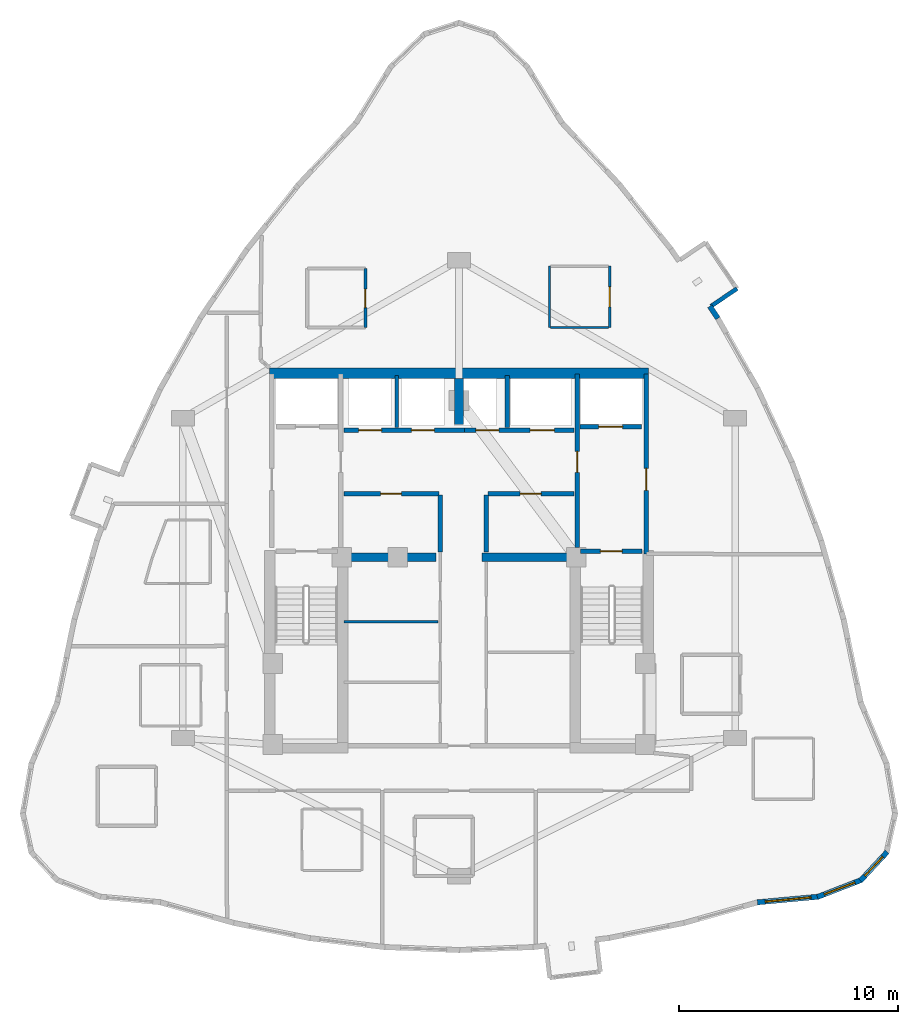
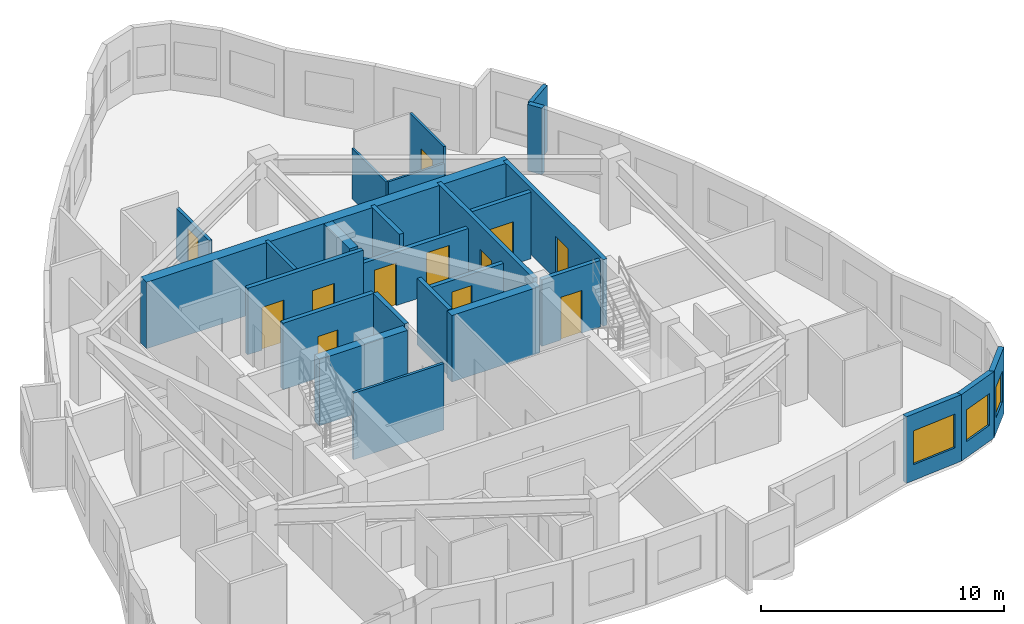
# One storey, part 6 of 9: 26 walls, 12 doors, 3 windows, 15 openings.
"""IFC4 building model written with IfcOpenShell, lengths in metres."""

from ifc_helpers import new_model, si_unit, direction, frame, frame_2d, origin, place, context, subcontext, project, spatial, rectangle, extrude, material, layer, layer_set, type_object, element, fill, save


model = new_model("IFC4")

# Units and contexts
model_context = context("Model", 3, precision=1e-05, world=origin(), true_north=direction((0.0, 1.0)))
body_context = subcontext(model_context, "Body", "Model", "MODEL_VIEW")
ifc_project = project(units=[si_unit("LENGTHUNIT", "METRE"), si_unit("AREAUNIT", "SQUARE_METRE"), si_unit("VOLUMEUNIT", "CUBIC_METRE"), si_unit("PLANEANGLEUNIT", "RADIAN"), si_unit("MASSUNIT", "GRAM", prefix="KILO")], contexts=[model_context])

# Site, building, storey
site_placement = place(None, origin())
site = spatial("IfcSite", under=ifc_project, at=site_placement, CompositionType="ELEMENT")
building_placement = place(site_placement, origin())
building = spatial("IfcBuilding", under=site, at=building_placement, Name="Miruveldt Soraemaru", CompositionType="ELEMENT")
storey_placement = place(building_placement, frame((0.0, 0.0, 244.800048828125)))
storey = spatial("IfcBuildingStorey", under=building, at=storey_placement, Name="L67", CompositionType="ELEMENT", Elevation=244.800048828125)

# Walls
ifc_material_1 = material(Name="White powder-coated aluminium EN AW-6060 T6", Category="aluminium")
ifc_layer_1 = layer(ifc_material_1, 0.18994140625, Name="White powder-coated aluminium EN AW-6060 T6", Category="aluminium")
ifc_layer_set_1 = layer_set([ifc_layer_1], Name="White powder-coated aluminium EN AW-6060 T6")
wall_type_1 = type_object("IfcWallType", Name="WALL-BAY-ALU190", PredefinedType="SOLIDWALL", material=ifc_layer_set_1)
wall_1_placement = place(storey_placement, frame((55.5068359375, 55.509521484375, 0.0), z_axis=(0.0, 0.0, 1.0), x_axis=(0.827916124573, 0.56085193293, 0.0)))
element("IfcWall", 1, at=wall_1_placement, inside=storey, type_object=wall_type_1, Name="L67 Bay Window Side Cheek 3L", PredefinedType="SOLIDWALL", context=body_context, shape_type="SweptSolid", body=[
    extrude(rectangle(XDim=1.42529296875, YDim=0.18994140625, at=frame_2d((0.712646484375, 0.0))), origin(), (0.0, 0.0, 1.0), 3.344970703125),
])
ifc_material_2 = material(Name="Concrete C70/85 (70 MPa)", Category="concrete")
ifc_layer_2 = layer(ifc_material_2, 0.5, Name="Concrete C70/85 (70 MPa)", Category="concrete")
ifc_layer_set_2 = layer_set([ifc_layer_2], Name="Concrete C70/85 (70 MPa)")
wall_type_2 = type_object("IfcWallType", Name="WALL-BW-500", PredefinedType="SHEAR", material=ifc_layer_set_2)
wall_2_placement = place(storey_placement, frame((44.0, 50.10009765625, 0.0), z_axis=(0.0, 0.0, 1.0), x_axis=(0.0, 1.0, 0.0)))
element("IfcWall", 2, at=wall_2_placement, inside=storey, type_object=wall_type_2, Name="L67 Core Buttress Shear Wall BN", PredefinedType="SHEAR", context=body_context, shape_type="SweptSolid", body=[
    extrude(rectangle(XDim=2.099853515625, YDim=0.39990234375, at=frame_2d((1.0498046875, 0.0))), origin(), (0.0, 0.0, 1.0), 3.344970703125),
])
for number, where, z_axis, x_axis, name in (
    (3, (38.75, 44.050048828125, 0.0), (0.0, 0.0, 1.0), (1.0, 0.0, 0.0), "L67 Core Buttress Shear Wall BW"),
    (4, (45.050048828125, 44.050048828125, 0.0), (0.0, 0.0, 1.0), (1.0, 0.0, 0.0), "L67 Core Buttress Shear Wall BE"),
):
    element("IfcWall", number, at=place(storey_placement, frame(where, z_axis=z_axis, x_axis=x_axis)), inside=storey, type_object=wall_type_2, Name=name, PredefinedType="SHEAR", context=body_context, shape_type="SweptSolid", body=[
        extrude(rectangle(XDim=4.199951171875, YDim=0.39990234375, at=frame_2d((2.10009765625, 0.0))), origin(), (0.0, 0.0, 1.0), 3.344970703125),
    ])
ifc_material_3 = material(Name="Concrete C60/75 (60 MPa)", Category="concrete")
ifc_layer_3 = layer(ifc_material_3, 0.47998046875, Name="Concrete C60/75 (60 MPa)", Category="concrete")
ifc_layer_set_3 = layer_set([ifc_layer_3], Name="Concrete C60/75 (60 MPa)")
wall_type_3 = type_object("IfcWallType", Name="WALL-CW-480", PredefinedType="SHEAR", material=ifc_layer_set_3)
wall_3_placement = place(storey_placement, frame((35.35009765625, 52.449951171875, 0.0), z_axis=(0.0, 0.0, 1.0), x_axis=(1.0, 0.0, 0.0)))
element("IfcWall", 5, at=wall_3_placement, inside=storey, type_object=wall_type_3, Name="L67 Central Core Shear Wall N", PredefinedType="SHEAR", context=body_context, shape_type="SweptSolid", body=[
    extrude(rectangle(XDim=17.2998046875, YDim=0.47998046875, at=frame_2d((8.64990234375, 0.0))), origin(), (0.0, 0.0, 1.0), 3.344970703125),
])

# Wall, opening, window
ifc_material_4 = material(Name="Precast concrete C45/55 (45 MPa)", Category="concrete")
ifc_layer_4 = layer(ifc_material_4, 0.239990234375, Name="Precast concrete C45/55 (45 MPa)", Category="concrete")
ifc_layer_set_4 = layer_set([ifc_layer_4], Name="Precast concrete C45/55 (45 MPa)")
wall_type_4 = type_object("IfcWallType", Name="WALL-EXT-PC240", PredefinedType="SOLIDWALL", material=ifc_layer_set_4)
wall_4_placement = place(storey_placement, frame((57.616455078125, 28.30078125, 0.0), z_axis=(0.0, 0.0, 1.0), x_axis=(0.995761555679, 0.09197241017, 0.0)))
wall_4 = element("IfcWall", 6, at=wall_4_placement, inside=storey, type_object=wall_type_4, Name="L67 Precast Concrete Facade Wall 29", PredefinedType="SOLIDWALL", context=body_context, shape_type="SweptSolid", body=[
    extrude(rectangle(XDim=2.819091796875, YDim=0.239990234375, at=frame_2d((1.40966796875, 0.0))), origin(), (0.0, 0.0, 1.0), 3.344970703125),
])
opening_1_placement = place(wall_4_placement, frame((0.35888671875, 0.0, 0.800048828125)))
opening_1 = element("IfcOpeningElement", 7, at=opening_1_placement, cuts=wall_4, Name="Opening WN-1", PredefinedType="OPENING", context=body_context, shape_type="SweptSolid", body=[
    extrude(rectangle(XDim=2.10009765625, YDim=1.699951171875, at=frame_2d((1.050048828125, 0.85009765625))), frame((0.0, 0.1298828125, 0.0), z_axis=(0.0, -1.0, 0.0), x_axis=(1.0, 0.0, 0.0)), (0.0, 0.0, 1.0), 0.260009765625),
])
ifc_material_5 = material(Name="Triple low-e insulated glazing", Category="glass")
window_type_1 = type_object("IfcWindowType", Name="WIN-PUNCH-2100x1700", PartitioningType="SINGLE_PANEL", PredefinedType="WINDOW", material=ifc_material_5)
window_1_placement = place(opening_1_placement, origin())
window_1 = element("IfcWindow", 8, at=window_1_placement, inside=storey, type_object=window_type_1, Name="L67 Punched Triple-Glazed Window 29.1", OverallHeight=1.699951171875, OverallWidth=2.10009765625, PartitioningType="SINGLE_PANEL", PredefinedType="WINDOW", context=body_context, shape_type="SweptSolid", body=[
    extrude(rectangle(XDim=2.10009765625, YDim=1.699951171875, at=frame_2d((1.050048828125, 0.85009765625))), frame((0.0, 0.030029296875, 0.0), z_axis=(0.0, -1.0, 0.0), x_axis=(1.0, 0.0, 0.0)), (0.0, 0.0, 1.0), 0.06005859375),
])
fill(opening_1, window_1)

wall_5_placement = place(storey_placement, frame((60.35595703125, 28.544189453125, 0.0), z_axis=(0.0, 0.0, 1.0), x_axis=(0.932287671793, 0.361717703495, 0.0)))
wall_5 = element("IfcWall", 9, at=wall_5_placement, inside=storey, type_object=wall_type_4, Name="L67 Precast Concrete Facade Wall 30", PredefinedType="SOLIDWALL", context=body_context, shape_type="SweptSolid", body=[
    extrude(rectangle(XDim=2.167236328125, YDim=0.239990234375, at=frame_2d((1.08349609375, 0.0))), origin(), (0.0, 0.0, 1.0), 3.344970703125),
])
opening_2_placement = place(wall_5_placement, frame((0.333984375, 0.0, 0.800048828125)))
opening_2 = element("IfcOpeningElement", 10, at=opening_2_placement, cuts=wall_5, Name="Opening WN-3", PredefinedType="OPENING", context=body_context, shape_type="SweptSolid", body=[
    extrude(rectangle(XDim=1.5, YDim=1.60009765625, at=frame_2d((0.75, 0.800048828125))), frame((0.0, 0.1298828125, 0.0), z_axis=(0.0, -1.0, 0.0), x_axis=(1.0, 0.0, 0.0)), (0.0, 0.0, 1.0), 0.260009765625),
])
window_type_2 = type_object("IfcWindowType", Name="WIN-PUNCH-1500x1600", PartitioningType="SINGLE_PANEL", PredefinedType="WINDOW", material=ifc_material_5)
window_2_placement = place(opening_2_placement, origin())
window_2 = element("IfcWindow", 11, at=window_2_placement, inside=storey, type_object=window_type_2, Name="L67 Punched Triple-Glazed Window 30.1", OverallHeight=1.60009765625, OverallWidth=1.5, PartitioningType="SINGLE_PANEL", PredefinedType="WINDOW", context=body_context, shape_type="SweptSolid", body=[
    extrude(rectangle(XDim=1.5, YDim=1.60009765625, at=frame_2d((0.75, 0.800048828125))), frame((0.0, 0.030029296875, 0.0), z_axis=(0.0, -1.0, 0.0), x_axis=(1.0, 0.0, 0.0)), (0.0, 0.0, 1.0), 0.06005859375),
])
fill(opening_2, window_2)

wall_6_placement = place(storey_placement, frame((62.320068359375, 29.289794921875, 0.0), z_axis=(0.0, 0.0, 1.0), x_axis=(0.680153639161, 0.733069592287, 0.0)))
wall_6 = element("IfcWall", 12, at=wall_6_placement, inside=storey, type_object=wall_type_4, Name="L67 Precast Concrete Facade Wall 31", PredefinedType="SOLIDWALL", context=body_context, shape_type="SweptSolid", body=[
    extrude(rectangle(XDim=1.794677734375, YDim=0.239990234375, at=frame_2d((0.8974609375, 0.0))), origin(), (0.0, 0.0, 1.0), 3.344970703125),
])
opening_3_placement = place(wall_6_placement, frame((0.297119140625, 0.0, 0.780029296875)))
opening_3 = element("IfcOpeningElement", 13, at=opening_3_placement, cuts=wall_6, Name="Opening WN-4", PredefinedType="OPENING", context=body_context, shape_type="SweptSolid", body=[
    extrude(rectangle(XDim=1.199951171875, YDim=1.550048828125, at=frame_2d((0.60009765625, 0.77490234375))), frame((0.0, 0.1298828125, 0.0), z_axis=(0.0, -1.0, 0.0), x_axis=(1.0, 0.0, 0.0)), (0.0, 0.0, 1.0), 0.260009765625),
])
window_type_3 = type_object("IfcWindowType", Name="WIN-PUNCH-1200x1550", PartitioningType="SINGLE_PANEL", PredefinedType="WINDOW", material=ifc_material_5)
window_3_placement = place(opening_3_placement, origin())
window_3 = element("IfcWindow", 14, at=window_3_placement, inside=storey, type_object=window_type_3, Name="L67 Punched Triple-Glazed Window 31.1", OverallHeight=1.550048828125, OverallWidth=1.199951171875, PartitioningType="SINGLE_PANEL", PredefinedType="WINDOW", context=body_context, shape_type="SweptSolid", body=[
    extrude(rectangle(XDim=1.199951171875, YDim=1.550048828125, at=frame_2d((0.60009765625, 0.77490234375))), frame((0.0, 0.030029296875, 0.0), z_axis=(0.0, -1.0, 0.0), x_axis=(1.0, 0.0, 0.0)), (0.0, 0.0, 1.0), 0.06005859375),
])
fill(opening_3, window_3)

# Wall
wall_7_placement = place(storey_placement, frame((55.8173828125, 54.953125, 0.0), z_axis=(0.0, 0.0, 1.0), x_axis=(-0.560701993018, 0.828017677967, 0.0)))
element("IfcWall", 15, at=wall_7_placement, inside=storey, type_object=wall_type_4, Name="L67 Precast Pier Wall 40A", PredefinedType="SOLIDWALL", context=body_context, shape_type="SweptSolid", body=[
    extrude(rectangle(XDim=0.664794921875, YDim=0.239990234375, at=frame_2d((0.33251953125, 0.0))), origin(), (0.0, 0.0, 1.0), 3.344970703125),
])

# Wall, opening, door
ifc_material_6 = material(Name="Gypsum plasterboard lining", Category="gypsum")
ifc_layer_5 = layer(ifc_material_6, 0.10009765625, Name="Gypsum plasterboard lining", Category="gypsum")
ifc_layer_set_5 = layer_set([ifc_layer_5], Name="Gypsum plasterboard lining")
wall_type_5 = type_object("IfcWallType", Name="WALL-INT-P100", PredefinedType="PARTITIONING", material=ifc_layer_set_5)
wall_8_placement = place(storey_placement, frame((50.8798828125, 54.530029296875, 0.0), z_axis=(0.0, 0.0, 1.0), x_axis=(0.0, 1.0, 0.0)))
wall_8 = element("IfcWall", 16, at=wall_8_placement, inside=storey, type_object=wall_type_5, Name="L67 Partition Wall 17", PredefinedType="PARTITIONING", context=body_context, shape_type="SweptSolid", body=[
    extrude(rectangle(XDim=2.800048828125, YDim=0.10009765625, at=frame_2d((1.39990234375, 0.0))), origin(), (0.0, 0.0, 1.0), 3.344970703125),
])
opening_4_placement = place(wall_8_placement, frame((0.93994140625, 0.0, 0.0)))
opening_4 = element("IfcOpeningElement", 17, at=opening_4_placement, cuts=wall_8, Name="Opening D3A", PredefinedType="OPENING", context=body_context, shape_type="SweptSolid", body=[
    extrude(rectangle(XDim=0.919921875, YDim=2.10009765625, at=frame_2d((0.4599609375, 1.050048828125))), frame((0.0, 0.06005859375, 0.0), z_axis=(0.0, -1.0, 0.0), x_axis=(1.0, 0.0, 0.0)), (0.0, 0.0, 1.0), 0.1201171875),
])
ifc_material_7 = material(Name="Anodised aluminium EN AW-6063 T6", Category="aluminium")
door_type_1 = type_object("IfcDoorType", Name="DOOR-INT-920", OperationType="NOTDEFINED", PredefinedType="DOOR", material=ifc_material_7)
door_1_placement = place(opening_4_placement, origin())
door_1 = element("IfcDoor", 18, at=door_1_placement, inside=storey, type_object=door_type_1, Name="L67 Unit CL01 KIT Door", OperationType="SINGLE_SWING_RIGHT", OverallHeight=2.10009765625, OverallWidth=0.919921875, PredefinedType="DOOR", context=body_context, shape_type="SweptSolid", body=[
    extrude(rectangle(XDim=0.919921875, YDim=2.10009765625, at=frame_2d((0.4599609375, 1.050048828125))), frame((0.0, 0.02490234375, 0.0), z_axis=(0.0, -1.0, 0.0), x_axis=(1.0, 0.0, 0.0)), (0.0, 0.0, 1.0), 0.050048828125),
])
fill(opening_4, door_1)

# Walls
wall_9_placement = place(storey_placement, frame((48.1298828125, 57.330078125, 0.0), z_axis=(0.0, 0.0, 1.0), x_axis=(0.0, -1.0, 0.0)))
element("IfcWall", 19, at=wall_9_placement, inside=storey, type_object=wall_type_5, Name="L67 Partition Wall 19", PredefinedType="PARTITIONING", context=body_context, shape_type="SweptSolid", body=[
    extrude(rectangle(XDim=2.800048828125, YDim=0.10009765625, at=frame_2d((1.39990234375, 0.0))), origin(), (0.0, 0.0, 1.0), 2.532958984375),
])
wall_10_placement = place(storey_placement, frame((48.179931640625, 54.530029296875, 0.0), z_axis=(0.0, 0.0, 1.0), x_axis=(1.0, 0.0, 0.0)))
element("IfcWall", 20, at=wall_10_placement, inside=storey, type_object=wall_type_5, Name="L67 Partition Wall 20", PredefinedType="PARTITIONING", context=body_context, shape_type="SweptSolid", body=[
    extrude(rectangle(XDim=2.650146484375, YDim=0.10009765625, at=frame_2d((1.3251953125, 0.0))), origin(), (0.0, 0.0, 1.0), 2.532958984375),
])
ifc_layer_6 = layer(ifc_material_6, 0.1201171875, Name="Gypsum plasterboard lining", Category="gypsum")
ifc_layer_set_6 = layer_set([ifc_layer_6], Name="Gypsum plasterboard lining")
wall_type_6 = type_object("IfcWallType", Name="WALL-INT-P120", PredefinedType="PARTITIONING", material=ifc_layer_set_6)
wall_11_placement = place(storey_placement, frame((38.75, 41.10009765625, 0.0), z_axis=(0.0, 0.0, 1.0), x_axis=(1.0, 0.0, 0.0)))
element("IfcWall", 21, at=wall_11_placement, inside=storey, type_object=wall_type_6, Name="L67 Core Compartment Wall RL-W3B", PredefinedType="PARTITIONING", context=body_context, shape_type="SweptSolid", body=[
    extrude(rectangle(XDim=4.300048828125, YDim=0.1201171875, at=frame_2d((2.14990234375, 0.0))), origin(), (0.0, 0.0, 1.0), 3.344970703125),
])

# Wall, opening, door
ifc_layer_7 = layer(ifc_material_6, 0.14990234375, Name="Gypsum plasterboard lining", Category="gypsum")
ifc_layer_set_7 = layer_set([ifc_layer_7], Name="Gypsum plasterboard lining")
wall_type_7 = type_object("IfcWallType", Name="WALL-INT-PLUMB", PredefinedType="PLUMBINGWALL", material=ifc_layer_set_7)
wall_12_placement = place(storey_placement, frame((39.72998046875, 54.530029296875, 0.0), z_axis=(0.0, 0.0, 1.0), x_axis=(0.0, 1.0, 0.0)))
wall_12 = element("IfcWall", 22, at=wall_12_placement, inside=storey, type_object=wall_type_7, Name="L67 Partition Wall 13", PredefinedType="PLUMBINGWALL", context=body_context, shape_type="SweptSolid", body=[
    extrude(rectangle(XDim=2.699951171875, YDim=0.14990234375, at=frame_2d((1.35009765625, 0.0))), origin(), (0.0, 0.0, 1.0), 2.532958984375),
])
opening_5_placement = place(wall_12_placement, frame((0.909912109375, 0.0, 0.0)))
opening_5 = element("IfcOpeningElement", 23, at=opening_5_placement, cuts=wall_12, Name="Opening FD3", PredefinedType="OPENING", context=body_context, shape_type="SweptSolid", body=[
    extrude(rectangle(XDim=0.85009765625, YDim=2.10009765625, at=frame_2d((0.425048828125, 1.050048828125))), frame((0.0, 0.0849609375, 0.0), z_axis=(0.0, -1.0, 0.0), x_axis=(1.0, 0.0, 0.0)), (0.0, 0.0, 1.0), 0.169921875),
])
door_type_2 = type_object("IfcDoorType", Name="DOOR-FD3-850", OperationType="NOTDEFINED", PredefinedType="DOOR", material=ifc_material_7)
door_2_placement = place(opening_5_placement, origin())
door_2 = element("IfcDoor", 24, at=door_2_placement, inside=storey, type_object=door_type_2, Name="L67 Unit CL01 BTH Door", OperationType="SINGLE_SWING_LEFT", OverallHeight=2.10009765625, OverallWidth=0.85009765625, PredefinedType="DOOR", context=body_context, shape_type="SweptSolid", body=[
    extrude(rectangle(XDim=0.85009765625, YDim=2.10009765625, at=frame_2d((0.425048828125, 1.050048828125))), frame((0.0, 0.02490234375, 0.0), z_axis=(0.0, -1.0, 0.0), x_axis=(1.0, 0.0, 0.0)), (0.0, 0.0, 1.0), 0.050048828125),
])
fill(opening_5, door_2)

# Wall
ifc_material_8 = material(Name="Concrete C40/50 (40 MPa)", Category="concrete")
ifc_layer_8 = layer(ifc_material_8, 0.159912109375, Name="Concrete C40/50 (40 MPa)", Category="concrete")
ifc_layer_set_8 = layer_set([ifc_layer_8], Name="Concrete C40/50 (40 MPa)")
wall_type_8 = type_object("IfcWallType", Name="WALL-INT-RC160", PredefinedType="SOLIDWALL", material=ifc_layer_set_8)
wall_13_placement = place(storey_placement, frame((41.14990234375, 49.97998046875, 0.0), z_axis=(0.0, 0.0, 1.0), x_axis=(0.0, 1.0, 0.0)))
element("IfcWall", 25, at=wall_13_placement, inside=storey, type_object=wall_type_8, Name="L67 Core Compartment Wall PLH-DIV1", PredefinedType="SOLIDWALL", context=body_context, shape_type="SweptSolid", body=[
    extrude(rectangle(XDim=2.3701171875, YDim=0.159912109375, at=frame_2d((1.18505859375, 0.0))), origin(), (0.0, 0.0, 1.0), 3.344970703125),
])

# Wall, opening, door
ifc_layer_9 = layer(ifc_material_8, 0.199951171875, Name="Concrete C40/50 (40 MPa)", Category="concrete")
ifc_layer_set_9 = layer_set([ifc_layer_9], Name="Concrete C40/50 (40 MPa)")
wall_type_9 = type_object("IfcWallType", Name="WALL-INT-RC200", PredefinedType="SOLIDWALL", material=ifc_layer_set_9)
wall_14_placement = place(storey_placement, frame((52.550048828125, 44.205322265625, 0.0), z_axis=(0.0, 0.0, 1.0), x_axis=(0.0, 1.0, 0.0)))
wall_14 = element("IfcWall", 26, at=wall_14_placement, inside=storey, type_object=wall_type_9, Name="L67 Core Compartment Wall FFE-OUT", PredefinedType="SOLIDWALL", context=body_context, shape_type="SweptSolid", body=[
    extrude(rectangle(XDim=8.214599609375, YDim=0.199951171875, at=frame_2d((4.107421875, 0.0))), origin(), (0.0, 0.0, 1.0), 3.344970703125),
])
opening_6_placement = place(wall_14_placement, frame((2.89501953125, 0.0, 0.0)))
opening_6 = element("IfcOpeningElement", 27, at=opening_6_placement, cuts=wall_14, Name="Opening FD1", PredefinedType="OPENING", context=body_context, shape_type="SweptSolid", body=[
    extrude(rectangle(XDim=1.0, YDim=2.14990234375, at=frame_2d((0.5, 1.074951171875))), frame((0.0, 0.10986328125, 0.0), z_axis=(0.0, -1.0, 0.0), x_axis=(1.0, 0.0, 0.0)), (0.0, 0.0, 1.0), 0.219970703125),
])
door_type_3 = type_object("IfcDoorType", Name="DOOR-FD1-1000", OperationType="NOTDEFINED", PredefinedType="DOOR", material=ifc_material_7)
door_3_placement = place(opening_6_placement, frame((1.0, 0.0, 0.0), z_axis=(0.0, 0.0, 1.0), x_axis=(-1.0, 0.0, 0.0)))
door_3 = element("IfcDoor", 28, at=door_3_placement, inside=storey, type_object=door_type_3, Name="L67 East Firefighting Lobby Exit Door", OperationType="SINGLE_SWING_RIGHT", OverallHeight=2.14990234375, OverallWidth=1.0, PredefinedType="DOOR", context=body_context, shape_type="SweptSolid", body=[
    extrude(rectangle(XDim=1.0, YDim=2.14990234375, at=frame_2d((0.5, 1.074951171875))), frame((0.0, 0.02490234375, 0.0), z_axis=(0.0, -1.0, 0.0), x_axis=(1.0, 0.0, 0.0)), (0.0, 0.0, 1.0), 0.050048828125),
])
fill(opening_6, door_3)

wall_15_placement = place(storey_placement, frame((49.39990234375, 44.5, 0.0), z_axis=(0.0, 0.0, 1.0), x_axis=(0.0, 1.0, 0.0)))
wall_15 = element("IfcWall", 29, at=wall_15_placement, inside=storey, type_object=wall_type_9, Name="L67 Core Compartment Wall FFE-IN", PredefinedType="SOLIDWALL", context=body_context, shape_type="SweptSolid", body=[
    extrude(rectangle(XDim=7.919921875, YDim=0.199951171875, at=frame_2d((3.9599609375, 0.0))), origin(), (0.0, 0.0, 1.0), 3.344970703125),
])
opening_7_placement = place(wall_15_placement, frame((3.425048828125, 0.0, 0.0)))
opening_7 = element("IfcOpeningElement", 30, at=opening_7_placement, cuts=wall_15, Name="Opening FD2", PredefinedType="OPENING", context=body_context, shape_type="SweptSolid", body=[
    extrude(rectangle(XDim=0.949951171875, YDim=2.14990234375, at=frame_2d((0.47509765625, 1.074951171875))), frame((0.0, 0.10986328125, 0.0), z_axis=(0.0, -1.0, 0.0), x_axis=(1.0, 0.0, 0.0)), (0.0, 0.0, 1.0), 0.219970703125),
])
door_type_4 = type_object("IfcDoorType", Name="DOOR-FD2-950", OperationType="NOTDEFINED", PredefinedType="DOOR", material=ifc_material_7)
door_4_placement = place(opening_7_placement, origin())
door_4 = element("IfcDoor", 31, at=door_4_placement, inside=storey, type_object=door_type_4, Name="L67 Lift Lobby to East Fire Lobby Door", OperationType="SINGLE_SWING_LEFT", OverallHeight=2.14990234375, OverallWidth=0.949951171875, PredefinedType="DOOR", context=body_context, shape_type="SweptSolid", body=[
    extrude(rectangle(XDim=0.949951171875, YDim=2.14990234375, at=frame_2d((0.47509765625, 1.074951171875))), frame((0.0, 0.02490234375, 0.0), z_axis=(0.0, -1.0, 0.0), x_axis=(1.0, 0.0, 0.0)), (0.0, 0.0, 1.0), 0.050048828125),
])
fill(opening_7, door_4)

# Wall, openings, doors
wall_16_placement = place(storey_placement, frame((38.75, 49.85009765625, 0.0), z_axis=(0.0, 0.0, 1.0), x_axis=(1.0, 0.0, 0.0)))
wall_16 = element("IfcWall", 32, at=wall_16_placement, inside=storey, type_object=wall_type_9, Name="L67 Core Compartment Wall ROWA-SW", PredefinedType="SOLIDWALL", context=body_context, shape_type="SweptSolid", body=[
    extrude(rectangle(XDim=5.5, YDim=0.199951171875, at=frame_2d((2.75, 0.0))), origin(), (0.0, 0.0, 1.0), 3.344970703125),
])
opening_8_placement = place(wall_16_placement, frame((0.675048828125, 0.0, 0.0)))
opening_8 = element("IfcOpeningElement", 33, at=opening_8_placement, cuts=wall_16, Name="Opening LD1", PredefinedType="OPENING", context=body_context, shape_type="SweptSolid", body=[
    extrude(rectangle(XDim=1.050048828125, YDim=2.14990234375, at=frame_2d((0.52490234375, 1.074951171875))), frame((0.0, 0.10986328125, 0.0), z_axis=(0.0, -1.0, 0.0), x_axis=(1.0, 0.0, 0.0)), (0.0, 0.0, 1.0), 0.219970703125),
])
opening_9_placement = place(wall_16_placement, frame((3.074951171875, 0.0, 0.0)))
opening_9 = element("IfcOpeningElement", 34, at=opening_9_placement, cuts=wall_16, Name="Opening LD1", PredefinedType="OPENING", context=body_context, shape_type="SweptSolid", body=[
    extrude(rectangle(XDim=1.050048828125, YDim=2.14990234375, at=frame_2d((0.52490234375, 1.074951171875))), frame((0.0, 0.10986328125, 0.0), z_axis=(0.0, -1.0, 0.0), x_axis=(1.0, 0.0, 0.0)), (0.0, 0.0, 1.0), 0.219970703125),
])
door_type_5 = type_object("IfcDoorType", Name="DOOR-LD1-1050", OperationType="SLIDING_TO_LEFT", PredefinedType="DOOR", material=ifc_material_7)
door_5_placement = place(opening_8_placement, origin())
door_5 = element("IfcDoor", 35, at=door_5_placement, inside=storey, type_object=door_type_5, Name="L67 PL-H1 Landing Door", OperationType="SLIDING_TO_LEFT", OverallHeight=2.14990234375, OverallWidth=1.050048828125, PredefinedType="DOOR", context=body_context, shape_type="SweptSolid", body=[
    extrude(rectangle(XDim=1.050048828125, YDim=2.14990234375, at=frame_2d((0.52490234375, 1.074951171875))), frame((0.0, 0.02490234375, 0.0), z_axis=(0.0, -1.0, 0.0), x_axis=(1.0, 0.0, 0.0)), (0.0, 0.0, 1.0), 0.050048828125),
])
fill(opening_8, door_5)
door_6_placement = place(opening_9_placement, origin())
door_6 = element("IfcDoor", 36, at=door_6_placement, inside=storey, type_object=door_type_5, Name="L67 PL-H2 Landing Door", OperationType="SLIDING_TO_LEFT", OverallHeight=2.14990234375, OverallWidth=1.050048828125, PredefinedType="DOOR", context=body_context, shape_type="SweptSolid", body=[
    extrude(rectangle(XDim=1.050048828125, YDim=2.14990234375, at=frame_2d((0.52490234375, 1.074951171875))), frame((0.0, 0.02490234375, 0.0), z_axis=(0.0, -1.0, 0.0), x_axis=(1.0, 0.0, 0.0)), (0.0, 0.0, 1.0), 0.050048828125),
])
fill(opening_9, door_6)

wall_17_placement = place(storey_placement, frame((44.25, 49.85009765625, 0.0), z_axis=(0.0, 0.0, 1.0), x_axis=(1.0, 0.0, 0.0)))
wall_17 = element("IfcWall", 37, at=wall_17_placement, inside=storey, type_object=wall_type_9, Name="L67 Core Compartment Wall ROWA-SE", PredefinedType="SOLIDWALL", context=body_context, shape_type="SweptSolid", body=[
    extrude(rectangle(XDim=5.0, YDim=0.199951171875, at=frame_2d((2.5, 0.0))), origin(), (0.0, 0.0, 1.0), 2.682861328125),
])
opening_10_placement = place(wall_17_placement, frame((0.52490234375, 0.0, 0.0)))
opening_10 = element("IfcOpeningElement", 38, at=opening_10_placement, cuts=wall_17, Name="Opening LD1", PredefinedType="OPENING", context=body_context, shape_type="SweptSolid", body=[
    extrude(rectangle(XDim=1.050048828125, YDim=2.14990234375, at=frame_2d((0.52490234375, 1.074951171875))), frame((0.0, 0.10986328125, 0.0), z_axis=(0.0, -1.0, 0.0), x_axis=(1.0, 0.0, 0.0)), (0.0, 0.0, 1.0), 0.219970703125),
])
opening_11_placement = place(wall_17_placement, frame((3.0, 0.0, 0.0)))
opening_11 = element("IfcOpeningElement", 39, at=opening_11_placement, cuts=wall_17, Name="Opening LD2", PredefinedType="OPENING", context=body_context, shape_type="SweptSolid", body=[
    extrude(rectangle(XDim=1.10009765625, YDim=2.14990234375, at=frame_2d((0.550048828125, 1.074951171875))), frame((0.0, 0.10986328125, 0.0), z_axis=(0.0, -1.0, 0.0), x_axis=(1.0, 0.0, 0.0)), (0.0, 0.0, 1.0), 0.219970703125),
])
door_7_placement = place(opening_10_placement, origin())
door_7 = element("IfcDoor", 40, at=door_7_placement, inside=storey, type_object=door_type_5, Name="L67 PL-H3 Landing Door", OperationType="SLIDING_TO_LEFT", OverallHeight=2.14990234375, OverallWidth=1.050048828125, PredefinedType="DOOR", context=body_context, shape_type="SweptSolid", body=[
    extrude(rectangle(XDim=1.050048828125, YDim=2.14990234375, at=frame_2d((0.52490234375, 1.074951171875))), frame((0.0, 0.02490234375, 0.0), z_axis=(0.0, -1.0, 0.0), x_axis=(1.0, 0.0, 0.0)), (0.0, 0.0, 1.0), 0.050048828125),
])
fill(opening_10, door_7)
door_type_6 = type_object("IfcDoorType", Name="DOOR-LD2-1100", OperationType="SLIDING_TO_LEFT", PredefinedType="DOOR", material=ifc_material_7)
door_8_placement = place(opening_11_placement, origin())
door_8 = element("IfcDoor", 41, at=door_8_placement, inside=storey, type_object=door_type_6, Name="L67 SL-1 Landing Door", OperationType="SLIDING_TO_LEFT", OverallHeight=2.14990234375, OverallWidth=1.10009765625, PredefinedType="DOOR", context=body_context, shape_type="SweptSolid", body=[
    extrude(rectangle(XDim=1.10009765625, YDim=2.14990234375, at=frame_2d((0.550048828125, 1.074951171875))), frame((0.0, 0.02490234375, 0.0), z_axis=(0.0, -1.0, 0.0), x_axis=(1.0, 0.0, 0.0)), (0.0, 0.0, 1.0), 0.050048828125),
])
fill(opening_11, door_8)

# Wall, opening, door
wall_18_placement = place(storey_placement, frame((38.75, 46.949951171875, 0.0), z_axis=(0.0, 0.0, 1.0), x_axis=(1.0, 0.0, 0.0)))
wall_18 = element("IfcWall", 42, at=wall_18_placement, inside=storey, type_object=wall_type_9, Name="L67 Core Compartment Wall MBW-N", PredefinedType="SOLIDWALL", context=body_context, shape_type="SweptSolid", body=[
    extrude(rectangle(XDim=4.330078125, YDim=0.199951171875, at=frame_2d((2.1650390625, 0.0))), origin(), (0.0, 0.0, 1.0), 3.344970703125),
])
opening_12_placement = place(wall_18_placement, frame((1.675048828125, 0.0, 0.0)))
opening_12 = element("IfcOpeningElement", 43, at=opening_12_placement, cuts=wall_18, Name="Opening D2", PredefinedType="OPENING", context=body_context, shape_type="SweptSolid", body=[
    extrude(rectangle(XDim=0.949951171875, YDim=2.10009765625, at=frame_2d((0.47509765625, 1.050048828125))), frame((0.0, 0.10986328125, 0.0), z_axis=(0.0, -1.0, 0.0), x_axis=(1.0, 0.0, 0.0)), (0.0, 0.0, 1.0), 0.219970703125),
])
door_type_7 = type_object("IfcDoorType", Name="DOOR-INT-950", OperationType="NOTDEFINED", PredefinedType="DOOR", material=ifc_material_7)
door_9_placement = place(opening_12_placement, origin())
door_9 = element("IfcDoor", 44, at=door_9_placement, inside=storey, type_object=door_type_7, Name="L67 Fire Door", OperationType="SINGLE_SWING_LEFT", OverallHeight=2.10009765625, OverallWidth=0.949951171875, PredefinedType="DOOR", context=body_context, shape_type="SweptSolid", body=[
    extrude(rectangle(XDim=0.949951171875, YDim=2.10009765625, at=frame_2d((0.47509765625, 1.050048828125))), frame((0.0, 0.02490234375, 0.0), z_axis=(0.0, -1.0, 0.0), x_axis=(1.0, 0.0, 0.0)), (0.0, 0.0, 1.0), 0.050048828125),
])
fill(opening_12, door_9)

wall_19_placement = place(storey_placement, frame((45.320068359375, 46.949951171875, 0.0), z_axis=(0.0, 0.0, 1.0), x_axis=(1.0, 0.0, 0.0)))
wall_19 = element("IfcWall", 45, at=wall_19_placement, inside=storey, type_object=wall_type_9, Name="L67 Core Compartment Wall MBE-N", PredefinedType="SOLIDWALL", context=body_context, shape_type="SweptSolid", body=[
    extrude(rectangle(XDim=3.929931640625, YDim=0.199951171875, at=frame_2d((1.96484375, 0.0))), origin(), (0.0, 0.0, 1.0), 2.682861328125),
])
opening_13_placement = place(wall_19_placement, frame((1.47509765625, 0.0, 0.0)))
opening_13 = element("IfcOpeningElement", 46, at=opening_13_placement, cuts=wall_19, Name="Opening D2", PredefinedType="OPENING", context=body_context, shape_type="SweptSolid", body=[
    extrude(rectangle(XDim=0.949951171875, YDim=2.10009765625, at=frame_2d((0.47509765625, 1.050048828125))), frame((0.0, 0.10986328125, 0.0), z_axis=(0.0, -1.0, 0.0), x_axis=(1.0, 0.0, 0.0)), (0.0, 0.0, 1.0), 0.219970703125),
])
door_10_placement = place(opening_13_placement, origin())
door_10 = element("IfcDoor", 47, at=door_10_placement, inside=storey, type_object=door_type_7, Name="L67 Fire Door", OperationType="SINGLE_SWING_LEFT", OverallHeight=2.10009765625, OverallWidth=0.949951171875, PredefinedType="DOOR", context=body_context, shape_type="SweptSolid", body=[
    extrude(rectangle(XDim=0.949951171875, YDim=2.10009765625, at=frame_2d((0.47509765625, 1.050048828125))), frame((0.0, 0.02490234375, 0.0), z_axis=(0.0, -1.0, 0.0), x_axis=(1.0, 0.0, 0.0)), (0.0, 0.0, 1.0), 0.050048828125),
])
fill(opening_13, door_10)

wall_20_placement = place(storey_placement, frame((49.550048828125, 44.320068359375, 0.0), z_axis=(0.0, 0.0, 1.0), x_axis=(1.0, 0.0, 0.0)))
wall_20 = element("IfcWall", 48, at=wall_20_placement, inside=storey, type_object=wall_type_9, Name="L67 Core Compartment Wall ST2-N", PredefinedType="SOLIDWALL", context=body_context, shape_type="SweptSolid", body=[
    extrude(rectangle(XDim=2.800048828125, YDim=0.199951171875, at=frame_2d((1.39990234375, 0.0))), origin(), (0.0, 0.0, 1.0), 3.344970703125),
])
opening_14_placement = place(wall_20_placement, frame((0.89990234375, 0.0, 0.0)))
opening_14 = element("IfcOpeningElement", 49, at=opening_14_placement, cuts=wall_20, Name="Opening FD1", PredefinedType="OPENING", context=body_context, shape_type="SweptSolid", body=[
    extrude(rectangle(XDim=1.0, YDim=2.14990234375, at=frame_2d((0.5, 1.074951171875))), frame((0.0, 0.10986328125, 0.0), z_axis=(0.0, -1.0, 0.0), x_axis=(1.0, 0.0, 0.0)), (0.0, 0.0, 1.0), 0.219970703125),
])
door_11_placement = place(opening_14_placement, frame((1.0, 0.0, 0.0), z_axis=(0.0, 0.0, 1.0), x_axis=(-1.0, 0.0, 0.0)))
door_11 = element("IfcDoor", 50, at=door_11_placement, inside=storey, type_object=door_type_3, Name="L67 Stair ST-2 Fire Door", OperationType="SINGLE_SWING_RIGHT", OverallHeight=2.14990234375, OverallWidth=1.0, PredefinedType="DOOR", context=body_context, shape_type="SweptSolid", body=[
    extrude(rectangle(XDim=1.0, YDim=2.14990234375, at=frame_2d((0.5, 1.074951171875))), frame((0.0, 0.02490234375, 0.0), z_axis=(0.0, -1.0, 0.0), x_axis=(1.0, 0.0, 0.0)), (0.0, 0.0, 1.0), 0.050048828125),
])
fill(opening_14, door_11)

wall_21_placement = place(storey_placement, frame((49.52001953125, 50.0, 0.0), z_axis=(0.0, 0.0, 1.0), x_axis=(1.0, 0.0, 0.0)))
wall_21 = element("IfcWall", 51, at=wall_21_placement, inside=storey, type_object=wall_type_9, Name="L67 Core Compartment Wall FFL2-S", PredefinedType="SOLIDWALL", context=body_context, shape_type="SweptSolid", body=[
    extrude(rectangle(XDim=2.800048828125, YDim=0.199951171875, at=frame_2d((1.39990234375, 0.0))), origin(), (0.0, 0.0, 1.0), 3.344970703125),
])
opening_15_placement = place(wall_21_placement, frame((0.85009765625, 0.0, 0.0)))
opening_15 = element("IfcOpeningElement", 52, at=opening_15_placement, cuts=wall_21, Name="Opening LD2", PredefinedType="OPENING", context=body_context, shape_type="SweptSolid", body=[
    extrude(rectangle(XDim=1.10009765625, YDim=2.14990234375, at=frame_2d((0.550048828125, 1.074951171875))), frame((0.0, 0.10986328125, 0.0), z_axis=(0.0, -1.0, 0.0), x_axis=(1.0, 0.0, 0.0)), (0.0, 0.0, 1.0), 0.219970703125),
])
door_12_placement = place(opening_15_placement, origin())
door_12 = element("IfcDoor", 53, at=door_12_placement, inside=storey, type_object=door_type_6, Name="L67 FFL-2 Landing Door", OperationType="SLIDING_TO_LEFT", OverallHeight=2.14990234375, OverallWidth=1.10009765625, PredefinedType="DOOR", context=body_context, shape_type="SweptSolid", body=[
    extrude(rectangle(XDim=1.10009765625, YDim=2.14990234375, at=frame_2d((0.550048828125, 1.074951171875))), frame((0.0, 0.02490234375, 0.0), z_axis=(0.0, -1.0, 0.0), x_axis=(1.0, 0.0, 0.0)), (0.0, 0.0, 1.0), 0.050048828125),
])
fill(opening_15, door_12)

# Walls
for number, where, z_axis, x_axis, name in (
    (54, (43.14990234375, 44.300048828125, 0.0), (0.0, 0.0, 1.0), (0.0, 1.0, 0.0), "L67 Core Compartment Wall SP-WB"),
    (55, (45.25, 44.300048828125, 0.0), (0.0, 0.0, 1.0), (0.0, 1.0, 0.0), "L67 Core Compartment Wall SP-EB"),
):
    element("IfcWall", number, at=place(storey_placement, frame(where, z_axis=z_axis, x_axis=x_axis)), inside=storey, type_object=wall_type_9, Name=name, PredefinedType="SOLIDWALL", context=body_context, shape_type="SweptSolid", body=[
        extrude(rectangle(XDim=2.579833984375, YDim=0.199951171875, at=frame_2d((1.2900390625, 0.0))), origin(), (0.0, 0.0, 1.0), 3.344970703125),
    ])
wall_22_placement = place(storey_placement, frame((46.199951171875, 49.97998046875, 0.0), z_axis=(0.0, 0.0, 1.0), x_axis=(0.0, 1.0, 0.0)))
element("IfcWall", 56, at=wall_22_placement, inside=storey, type_object=wall_type_9, Name="L67 Core Compartment Wall PLH-SL-DIV", PredefinedType="SOLIDWALL", context=body_context, shape_type="SweptSolid", body=[
    extrude(rectangle(XDim=2.3701171875, YDim=0.199951171875, at=frame_2d((1.18505859375, 0.0))), origin(), (0.0, 0.0, 1.0), 3.344970703125),
])

save(model, "model.ifc")
